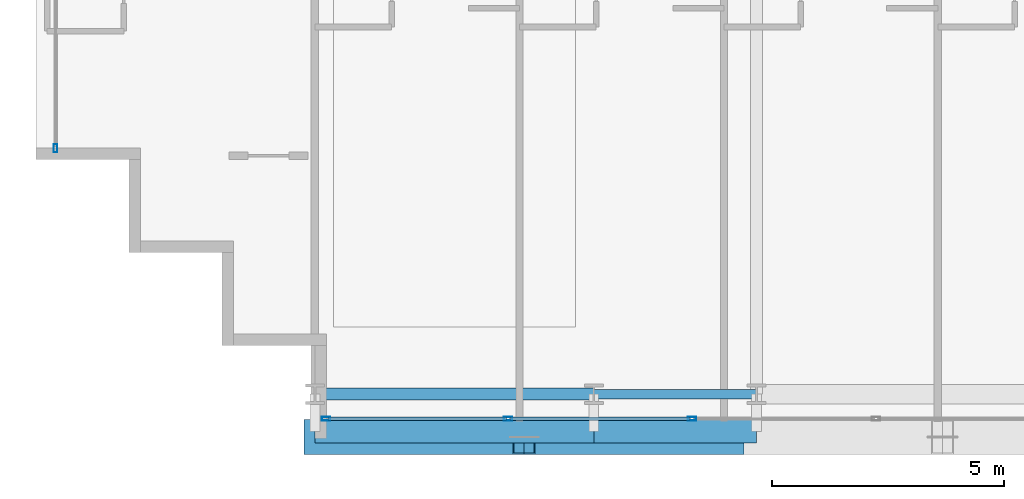
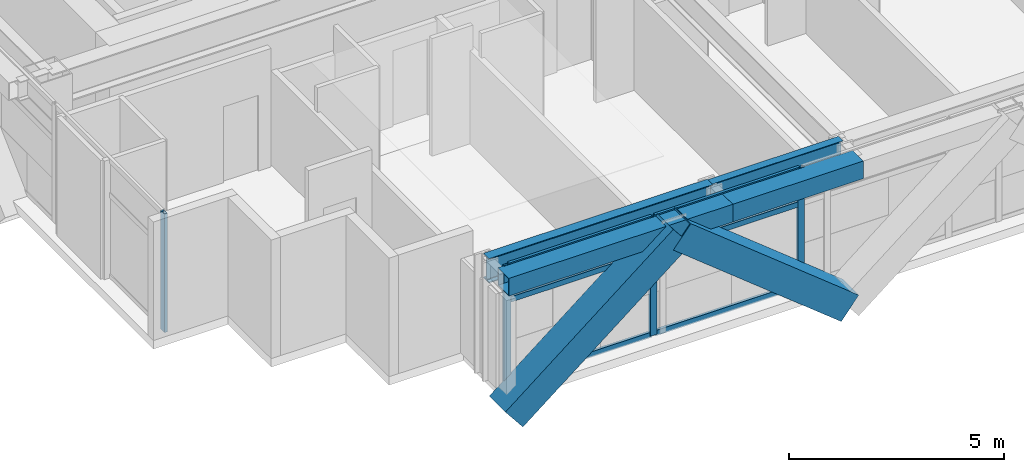
# One storey, part 2 of 39: 12 members, 4 beams, 2 elements without a shape of their own.
"""IFC4 building model written with IfcOpenShell, lengths in metres."""

from ifc_helpers import new_model, si_unit, direction, frame, origin, origin_2d, place, context, subcontext, project, spatial, hollow_rectangle, i_section, extrude, source, transform, mapped, material, layer, layer_set, material_profile, profile_set, type_object, element, aggregate, save


model = new_model("IFC4")

# Units and contexts
model_context = context("Model", 3, precision=1e-05, world=origin(), true_north=direction((0.0, 1.0)))
body_context = subcontext(model_context, "Body", "Model", "MODEL_VIEW")
ifc_project = project(units=[si_unit("LENGTHUNIT", "METRE"), si_unit("AREAUNIT", "SQUARE_METRE"), si_unit("VOLUMEUNIT", "CUBIC_METRE"), si_unit("PLANEANGLEUNIT", "RADIAN"), si_unit("MASSUNIT", "GRAM", prefix="KILO")], contexts=[model_context])

# Site, building, storey
site_placement = place(None, origin())
site = spatial("IfcSite", under=ifc_project, at=site_placement, CompositionType="ELEMENT")
building_placement = place(site_placement, origin())
building = spatial("IfcBuilding", under=site, at=building_placement, Name="Ocotamira Hotel", CompositionType="ELEMENT")
storey_placement = place(building_placement, frame((0.0, 0.0, 104.39990234375)))
storey = spatial("IfcBuildingStorey", under=building, at=storey_placement, Name="L25", CompositionType="ELEMENT", Elevation=104.39990234375)

# Beams
ifc_material_1 = material(Name="Steel ASTM A992 Grade 50", Category="steel")
ifc_material_profile_1 = material_profile(ifc_material_1, i_section(OverallWidth=0.256103515625, OverallDepth=0.693115234375, WebThickness=0.014404296875, FlangeThickness=0.023681640625, FilletRadius=0.01611328125, at=origin_2d()), Name="W27X114")
ifc_profile_set_1 = profile_set([ifc_material_profile_1], Name="Steel ASTM A992 Grade 50")
beam_type_1 = type_object("IfcBeamType", Name="BM-PRIM-W27X114", PredefinedType="BEAM", material=ifc_profile_set_1)
shared_shape_1 = source(origin(), body_context, "Body", "SweptSolid", [
    extrude(i_section(OverallWidth=0.256103515625, OverallDepth=0.693115234375, WebThickness=0.014404296875, FlangeThickness=0.023681640625, FilletRadius=0.01611328125, at=origin_2d()), origin(), (0.0, 0.0, 1.0), 6.0),
])
beam_1_placement = place(storey_placement, frame((14.0, 2.949951171875, 3.013671875), z_axis=(1.0, 0.0, 0.0), x_axis=(0.0, 1.0, 0.0)))
element("IfcBeam", 1, at=beam_1_placement, inside=storey, type_object=beam_type_1, Name="L25 Girder Y2.95 X14-20", PredefinedType="BEAM", context=body_context, shape_type="MappedRepresentation", body=[
    mapped(shared_shape_1, transform((0.0, 0.0, 0.0), scale=1.0)),
])
ifc_material_profile_2 = material_profile(ifc_material_1, i_section(OverallWidth=0.2099609375, OverallDepth=0.537109375, WebThickness=0.010986328125, FlangeThickness=0.017333984375, FilletRadius=0.012939453125, at=origin_2d()), Name="W21X68")
ifc_profile_set_2 = profile_set([ifc_material_profile_2], Name="Steel ASTM A992 Grade 50")
beam_type_2 = type_object("IfcBeamType", Name="BM-SEC-W21X68", PredefinedType="JOIST", material=ifc_profile_set_2)
shared_shape_2 = source(origin(), body_context, "Body", "SweptSolid", [
    extrude(i_section(OverallWidth=0.2099609375, OverallDepth=0.537109375, WebThickness=0.010986328125, FlangeThickness=0.017333984375, FilletRadius=0.012939453125, at=origin_2d()), origin(), (0.0, 0.0, 1.0), 3.5),
])
beam_2_placement = place(storey_placement, frame((20.0, 2.949951171875, 3.091552734375), z_axis=(1.0, 0.0, 0.0), x_axis=(0.0, 1.0, 0.0)))
element("IfcBeam", 2, at=beam_2_placement, inside=storey, type_object=beam_type_2, Name="L25 Girder Y2.95 X20-23.5", PredefinedType="JOIST", context=body_context, shape_type="MappedRepresentation", body=[
    mapped(shared_shape_2, transform((0.0, 0.0, 0.0), scale=1.0)),
])
ifc_material_2 = material(Name="Steel ASTM A500 Grade C", Category="steel")
ifc_material_profile_3 = material_profile(ifc_material_2, hollow_rectangle(XDim=0.5, YDim=0.5, WallThickness=0.02001953125, at=origin_2d()), Name="HSS500X500X20")
ifc_profile_set_3 = profile_set([ifc_material_profile_3], Name="Steel ASTM A500 Grade C")
beam_type_3 = type_object("IfcBeamType", Name="BM-SPAN-HSS500", PredefinedType="USERDEFINED", material=ifc_profile_set_3)
shared_shape_3 = source(origin(), body_context, "Body", "SweptSolid", [
    extrude(hollow_rectangle(XDim=0.5, YDim=0.5, WallThickness=0.02001953125, at=origin_2d()), origin(), (0.0, 0.0, 1.0), 6.0),
])
beam_3_placement = place(storey_placement, frame((14.0, 2.14990234375, 3.110107421875), z_axis=(1.0, 0.0, 0.0), x_axis=(0.0, 1.0, 0.0)))
element("IfcBeam", 3, at=beam_3_placement, inside=storey, type_object=beam_type_3, Name="L25 Edge Spandrel S X14-20", ObjectType="SPANDREL", PredefinedType="USERDEFINED", context=body_context, shape_type="MappedRepresentation", body=[
    mapped(shared_shape_3, transform((0.0, 0.0, 0.0), scale=1.0)),
])
shared_shape_4 = source(origin(), body_context, "Body", "SweptSolid", [
    extrude(hollow_rectangle(XDim=0.5, YDim=0.5, WallThickness=0.02001953125, at=origin_2d()), origin(), (0.0, 0.0, 1.0), 3.5),
])
beam_4_placement = place(storey_placement, frame((20.0, 2.14990234375, 3.110107421875), z_axis=(1.0, 0.0, 0.0), x_axis=(0.0, 1.0, 0.0)))
element("IfcBeam", 4, at=beam_4_placement, inside=storey, type_object=beam_type_3, Name="L25 Edge Spandrel S X20-23.5", ObjectType="SPANDREL", PredefinedType="USERDEFINED", context=body_context, shape_type="MappedRepresentation", body=[
    mapped(shared_shape_4, transform((0.0, 0.0, 0.0), scale=1.0)),
])

# Members
ifc_material_3 = material(Name="Pale-metal coated steel ASTM A913 Grade 65", Category="steel")
ifc_material_profile_4 = material_profile(ifc_material_3, hollow_rectangle(XDim=0.75, YDim=0.75, WallThickness=0.028076171875, at=origin_2d()), Name="BOX750X750X28")
ifc_profile_set_4 = profile_set([ifc_material_profile_4], Name="Pale-metal coated steel ASTM A913 Grade 65")
member_type_1 = type_object("IfcMemberType", Name="MEM-EXO-BOX750", PredefinedType="BRACE", material=ifc_profile_set_4)
shared_shape_5 = source(origin(), body_context, "Body", "SweptSolid", [
    extrude(hollow_rectangle(XDim=0.75, YDim=0.75, WallThickness=0.028076171875, at=origin_2d()), origin(), (0.0, 0.0, 1.0), 5.762939453125),
])
for number, where, z_axis, x_axis, name in (
    (5, (14.0, 2.030029296875, -0.489990234375), (0.780860543151, 0.0, 0.624705380279), (0.0, 1.0, 0.0), "L25 Exoskeleton Diagrid S0.1"),
    (6, (23.0, 2.030029296875, -0.489990234375), (-0.780860543151, 0.0, 0.624705380279), (0.0, -1.0, 0.0), "L25 Exoskeleton Diagrid S0.2"),
):
    element("IfcMember", number, at=place(storey_placement, frame(where, z_axis=z_axis, x_axis=x_axis)), inside=storey, type_object=member_type_1, Name=name, PredefinedType="BRACE", context=body_context, shape_type="MappedRepresentation", body=[
        mapped(shared_shape_5, transform((0.0, 0.0, 0.0), scale=1.0)),
    ])

# Curtain wall, members
ifc_material_4 = material(Name="Anodised pale-metal aluminium and solar glass", Category="aluminium")
ifc_layer = layer(ifc_material_4, 0.179931640625)
ifc_layer_set = layer_set([ifc_layer], Name="Anodised pale-metal aluminium and solar glass")
curtain_wall_type = type_object("IfcCurtainWallType", Name="CW-SYS3-Z2", PredefinedType="NOTDEFINED", material=ifc_layer_set)
curtain_wall_1_placement = place(storey_placement, origin())
curtain_wall_1 = element("IfcCurtainWall", 7, at=curtain_wall_1_placement, inside=storey, type_object=curtain_wall_type, Name="L25 Curtain Wall CW-3 CW-L25-S1", PredefinedType="NOTDEFINED")
ifc_material_5 = material(Name="Anodised pale-metal aluminium 6063-T6", Category="aluminium")
ifc_material_profile_5 = material_profile(ifc_material_5, hollow_rectangle(XDim=0.074951171875, YDim=0.14990234375, WallThickness=0.006103515625, at=origin_2d()), Name="HSS150X75X6")
ifc_profile_set_5 = profile_set([ifc_material_profile_5], Name="Anodised pale-metal aluminium 6063-T6")
member_type_2 = type_object("IfcMemberType", Name="CWT-150X75", PredefinedType="USERDEFINED", material=ifc_profile_set_5)
shared_shape_6 = source(origin(), body_context, "Body", "SweptSolid", [
    extrude(hollow_rectangle(XDim=0.074951171875, YDim=0.14990234375, WallThickness=0.006103515625, at=origin_2d()), origin(), (0.0, 0.0, 1.0), 3.83544921875),
])
member_1_placement = place(storey_placement, frame((14.280029296875, 2.419921875, 0.03759765625), z_axis=(1.0, 0.0, 0.0), x_axis=(0.0, 1.0, 0.0)))
member_1 = element("IfcMember", 8, at=member_1_placement, type_object=member_type_2, Name="CW-3 transom 1.1", ObjectType="TRANSOM", PredefinedType="USERDEFINED", context=body_context, shape_type="MappedRepresentation", body=[
    mapped(shared_shape_6, transform((0.0, 0.0, 0.0), scale=1.0)),
])
member_2_placement = place(storey_placement, frame((14.280029296875, 2.419921875, 2.35009765625), z_axis=(1.0, 0.0, 0.0), x_axis=(0.0, 1.0, 0.0)))
member_2 = element("IfcMember", 9, at=member_2_placement, type_object=member_type_2, Name="CW-3 transom 1.2", ObjectType="TRANSOM", PredefinedType="USERDEFINED", context=body_context, shape_type="MappedRepresentation", body=[
    mapped(shared_shape_6, transform((0.0, 0.0, 0.0), scale=1.0)),
])
member_3_placement = place(storey_placement, frame((14.280029296875, 2.419921875, 3.322509765625), z_axis=(1.0, 0.0, 0.0), x_axis=(0.0, 1.0, 0.0)))
member_3 = element("IfcMember", 10, at=member_3_placement, type_object=member_type_2, Name="CW-3 transom 1.3", ObjectType="TRANSOM", PredefinedType="USERDEFINED", context=body_context, shape_type="MappedRepresentation", body=[
    mapped(shared_shape_6, transform((0.0, 0.0, 0.0), scale=1.0)),
])
shared_shape_7 = source(origin(), body_context, "Body", "SweptSolid", [
    extrude(hollow_rectangle(XDim=0.074951171875, YDim=0.14990234375, WallThickness=0.006103515625, at=origin_2d()), origin(), (0.0, 0.0, 1.0), 3.87548828125),
])
member_4_placement = place(storey_placement, frame((18.195556640625, 2.419921875, 0.03759765625), z_axis=(1.0, 0.0, 0.0), x_axis=(0.0, 1.0, 0.0)))
member_4 = element("IfcMember", 11, at=member_4_placement, type_object=member_type_2, Name="CW-3 transom 2.1", ObjectType="TRANSOM", PredefinedType="USERDEFINED", context=body_context, shape_type="MappedRepresentation", body=[
    mapped(shared_shape_7, transform((0.0, 0.0, 0.0), scale=1.0)),
])
member_5_placement = place(storey_placement, frame((18.195556640625, 2.419921875, 2.35009765625), z_axis=(1.0, 0.0, 0.0), x_axis=(0.0, 1.0, 0.0)))
member_5 = element("IfcMember", 12, at=member_5_placement, type_object=member_type_2, Name="CW-3 transom 2.2", ObjectType="TRANSOM", PredefinedType="USERDEFINED", context=body_context, shape_type="MappedRepresentation", body=[
    mapped(shared_shape_7, transform((0.0, 0.0, 0.0), scale=1.0)),
])
member_6_placement = place(storey_placement, frame((18.195556640625, 2.419921875, 3.322509765625), z_axis=(1.0, 0.0, 0.0), x_axis=(0.0, 1.0, 0.0)))
member_6 = element("IfcMember", 13, at=member_6_placement, type_object=member_type_2, Name="CW-3 transom 2.3", ObjectType="TRANSOM", PredefinedType="USERDEFINED", context=body_context, shape_type="MappedRepresentation", body=[
    mapped(shared_shape_7, transform((0.0, 0.0, 0.0), scale=1.0)),
])
ifc_material_profile_6 = material_profile(ifc_material_5, hollow_rectangle(XDim=0.080078125, YDim=0.179931640625, WallThickness=0.006103515625, at=origin_2d()), Name="HSS180X80X6")
ifc_profile_set_6 = profile_set([ifc_material_profile_6], Name="Anodised pale-metal aluminium 6063-T6")
member_type_3 = type_object("IfcMemberType", Name="CWM-180X75", PredefinedType="MULLION", material=ifc_profile_set_6)
shared_shape_8 = source(origin(), body_context, "Body", "SweptSolid", [
    extrude(hollow_rectangle(XDim=0.080078125, YDim=0.179931640625, WallThickness=0.006103515625, at=origin_2d()), origin(), (0.0, 0.0, 1.0), 3.360107421875),
])
member_7_placement = place(storey_placement, frame((14.239990234375, 2.419921875, 0.0), z_axis=(0.0, 0.0, 1.0), x_axis=(0.0, 1.0, 0.0)))
member_7 = element("IfcMember", 14, at=member_7_placement, type_object=member_type_3, Name="CW-3 mullion 1", PredefinedType="MULLION", context=body_context, shape_type="MappedRepresentation", body=[
    mapped(shared_shape_8, transform((0.0, 0.0, 0.0), scale=1.0)),
])
member_8_placement = place(storey_placement, frame((18.155517578125, 2.419921875, 0.0), z_axis=(0.0, 0.0, 1.0), x_axis=(0.0, 1.0, 0.0)))
member_8 = element("IfcMember", 15, at=member_8_placement, type_object=member_type_3, Name="CW-3 mullion 2", PredefinedType="MULLION", context=body_context, shape_type="MappedRepresentation", body=[
    mapped(shared_shape_8, transform((0.0, 0.0, 0.0), scale=1.0)),
])
member_9_placement = place(storey_placement, frame((22.111083984375, 2.419921875, 0.0), z_axis=(0.0, 0.0, 1.0), x_axis=(0.0, 1.0, 0.0)))
member_9 = element("IfcMember", 16, at=member_9_placement, type_object=member_type_3, Name="CW-3 mullion 3", PredefinedType="MULLION", context=body_context, shape_type="MappedRepresentation", body=[
    mapped(shared_shape_8, transform((0.0, 0.0, 0.0), scale=1.0)),
])
aggregate(curtain_wall_1, [member_7, member_8, member_9, member_1, member_2, member_3, member_4, member_5, member_6])

# Curtain wall, member
curtain_wall_2_placement = place(storey_placement, origin())
curtain_wall_2 = element("IfcCurtainWall", 17, at=curtain_wall_2_placement, inside=storey, type_object=curtain_wall_type, Name="L25 Curtain Wall CW-3 CW-L25-W", PredefinedType="NOTDEFINED")
member_10_placement = place(storey_placement, frame((8.419921875, 8.239990234375, 0.0), z_axis=(0.0, 0.0, 1.0), x_axis=(-1.0, 0.0, 0.0)))
member_10 = element("IfcMember", 18, at=member_10_placement, type_object=member_type_3, Name="CW-3 mullion 1", PredefinedType="MULLION", context=body_context, shape_type="MappedRepresentation", body=[
    mapped(shared_shape_8, transform((0.0, 0.0, 0.0), scale=1.0)),
])
aggregate(curtain_wall_2, [member_10])

save(model, "model.ifc")
